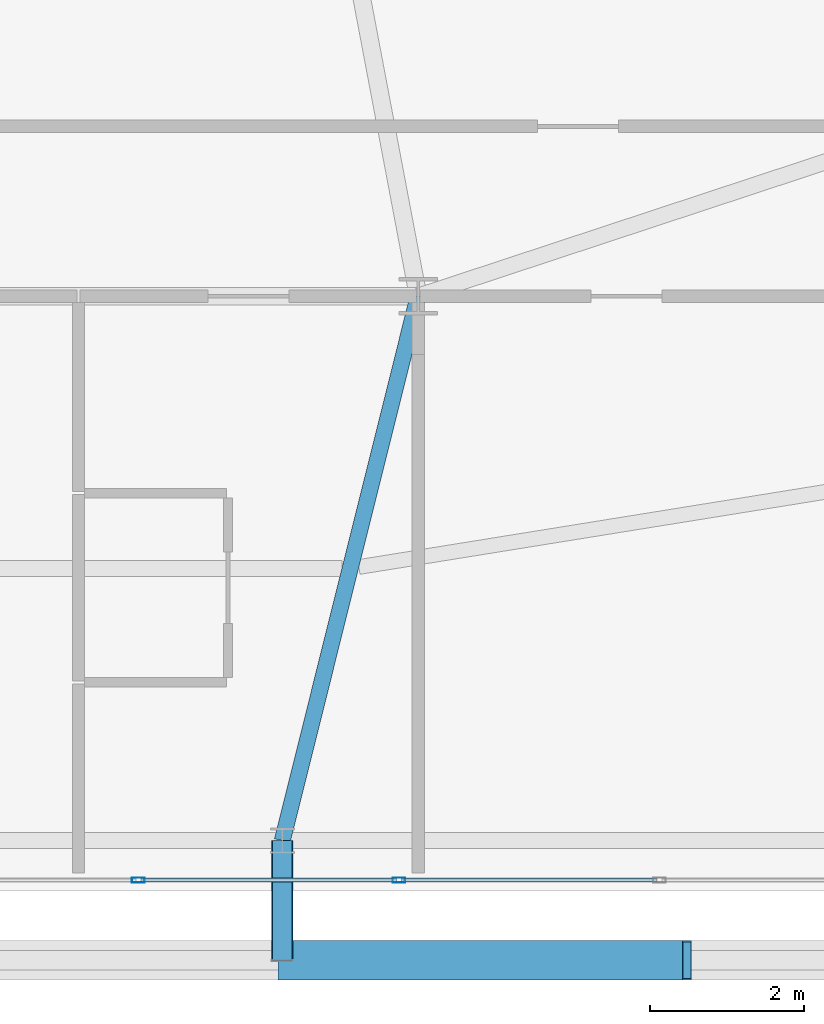
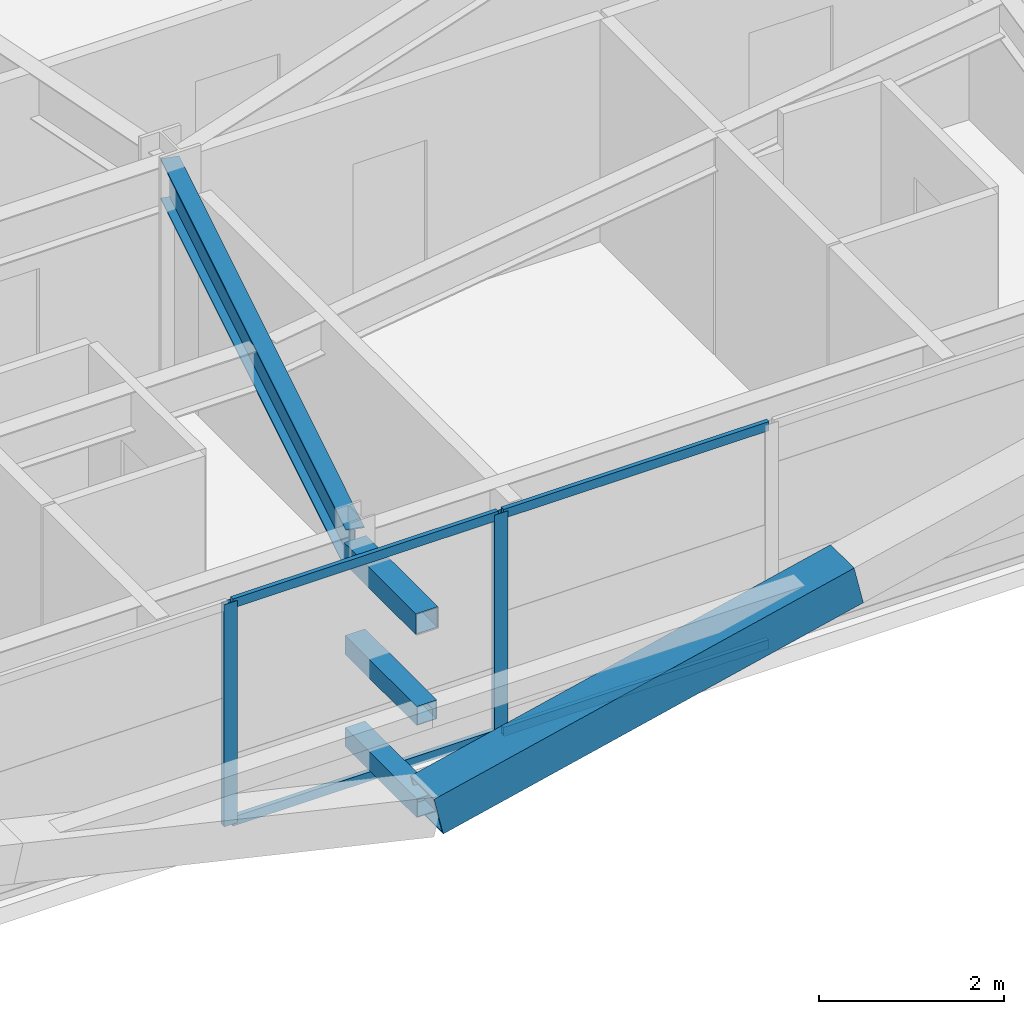
# One storey, part 20 of 59: 10 members, 1 beam, 1 element without a shape of its own.
"""IFC4 building model written with IfcOpenShell, lengths in metres."""

from ifc_helpers import new_model, si_unit, direction, frame, origin, origin_2d, place, context, subcontext, project, spatial, hollow_rectangle, i_section, extrude, source, transform, mapped, material, layer, layer_set, material_profile, profile_set, type_object, element, aggregate, save


model = new_model("IFC4")

# Units and contexts
model_context = context("Model", 3, precision=1e-05, world=origin(), true_north=direction((0.0, 1.0)))
body_context = subcontext(model_context, "Body", "Model", "MODEL_VIEW")
ifc_project = project(units=[si_unit("LENGTHUNIT", "METRE"), si_unit("AREAUNIT", "SQUARE_METRE"), si_unit("VOLUMEUNIT", "CUBIC_METRE"), si_unit("PLANEANGLEUNIT", "RADIAN"), si_unit("MASSUNIT", "GRAM", prefix="KILO")], contexts=[model_context])

# Site, building, storey
site_placement = place(None, origin())
site = spatial("IfcSite", under=ifc_project, at=site_placement, CompositionType="ELEMENT")
building_placement = place(site_placement, origin())
building = spatial("IfcBuilding", under=site, at=building_placement, Name="Taldren Reach Tower", CompositionType="ELEMENT")
storey_placement = place(building_placement, frame((0.0, 0.0, 19.949951171875)))
storey = spatial("IfcBuildingStorey", under=building, at=storey_placement, Name="L05", CompositionType="ELEMENT", Elevation=19.949951171875)

# Beam
ifc_material_1 = material(Name="Steel Gr 350 (350PLUS)", Category="steel")
ifc_material_profile_1 = material_profile(ifc_material_1, i_section(OverallWidth=0.208984375, OverallDepth=0.532958984375, WebThickness=0.01025390625, FlangeThickness=0.015625, at=origin_2d()), Name="530UB92.4")
ifc_profile_set_1 = profile_set([ifc_material_profile_1], Name="Steel Gr 350 (350PLUS)")
beam_type = type_object("IfcBeamType", Name="BM-UB530A", PredefinedType="BEAM", material=ifc_profile_set_1)
shared_shape_1 = source(origin(), body_context, "Body", "SweptSolid", [
    extrude(i_section(OverallWidth=0.208984375, OverallDepth=0.532958984375, WebThickness=0.01025390625, FlangeThickness=0.015625, at=origin_2d()), origin(), (0.0, 0.0, 1.0), 7.266357421875),
])
beam_placement = place(storey_placement, frame((42.0, 9.199951171875, 2.66357421875), z_axis=(-0.24221148493, -0.970223477642, 0.0), x_axis=(0.970223477642, -0.24221148493, 0.0)))
element("IfcBeam", 1, at=beam_placement, inside=storey, type_object=beam_type, Name="Primary floor girder B1-S4 L05", PredefinedType="BEAM", context=body_context, shape_type="MappedRepresentation", body=[
    mapped(shared_shape_1, transform((0.0, 0.0, 0.0), scale=1.0)),
])

# Members
ifc_material_2 = material(Name="Steel Gr 450 (C450L0)", Category="steel")
ifc_material_profile_2 = material_profile(ifc_material_2, hollow_rectangle(XDim=0.27490234375, YDim=0.27490234375, WallThickness=0.00927734375, at=origin_2d()), Name="275x275x9.3SHS")
ifc_profile_set_2 = profile_set([ifc_material_profile_2], Name="Steel Gr 450 (C450L0)")
member_type_1 = type_object("IfcMemberType", Name="MB-TIE273", PredefinedType="STRUT", material=ifc_profile_set_2)
shared_shape_2 = source(origin(), body_context, "Body", "SweptSolid", [
    extrude(hollow_rectangle(XDim=0.27490234375, YDim=0.27490234375, WallThickness=0.00927734375, at=origin_2d()), origin(), (0.0, 0.0, 1.0), 1.5498046875),
])
member_1_placement = place(storey_placement, frame((40.239990234375, 2.14990234375, 2.650146484375), z_axis=(0.0, -1.0, 0.0), x_axis=(1.0, 0.0, 0.0)))
element("IfcMember", 2, at=member_1_placement, inside=storey, type_object=member_type_1, Name="Exoskeleton diaphragm tie strut B1-S4 L05", PredefinedType="STRUT", context=body_context, shape_type="MappedRepresentation", body=[
    mapped(shared_shape_2, transform((0.0, 0.0, 0.0), scale=1.0)),
])
ifc_material_profile_3 = material_profile(ifc_material_2, hollow_rectangle(XDim=0.510009765625, YDim=0.510009765625, WallThickness=0.02001953125, at=origin_2d()), Name="510x510x20.0SHS")
ifc_profile_set_3 = profile_set([ifc_material_profile_3], Name="Steel Gr 450 (C450L0)")
member_type_2 = type_object("IfcMemberType", Name="MB-EXO508", PredefinedType="BRACE", material=ifc_profile_set_3)
shared_shape_3 = source(origin(), body_context, "Body", "SweptSolid", [
    extrude(hollow_rectangle(XDim=0.510009765625, YDim=0.510009765625, WallThickness=0.02001953125, at=origin_2d()), origin(), (0.0, 0.0, 1.0), 5.37890625),
])
member_2_placement = place(storey_placement, frame((40.239990234375, 0.60009765625, 0.219970703125), z_axis=(0.97415197996, 0.0, 0.225893603143), x_axis=(0.0, 1.0, 0.0)))
element("IfcMember", 3, at=member_2_placement, inside=storey, type_object=member_type_2, Name="Exoskeleton Diagrid Brace B1-S4 L05", PredefinedType="BRACE", context=body_context, shape_type="MappedRepresentation", body=[
    mapped(shared_shape_3, transform((0.0, 0.0, 0.0), scale=1.0)),
])
ifc_material_3 = material(Name="Steel Gr 350 (C350L0)", Category="steel")
ifc_material_profile_4 = material_profile(ifc_material_3, hollow_rectangle(XDim=0.25, YDim=0.25, WallThickness=0.010009765625, at=origin_2d()), Name="250x250x10.0SHS")
ifc_profile_set_4 = profile_set([ifc_material_profile_4], Name="Steel Gr 350 (C350L0)")
member_type_3 = type_object("IfcMemberType", Name="MB-POST250", PredefinedType="POST", material=ifc_profile_set_4)
shared_shape_4 = source(origin(), body_context, "Body", "SweptSolid", [
    extrude(hollow_rectangle(XDim=0.25, YDim=0.25, WallThickness=0.010009765625, at=origin_2d()), origin(), (0.0, 0.0, 1.0), 1.5498046875),
])
for number, where, z_axis, x_axis, name in (
    (4, (40.239990234375, 2.14990234375, 0.219970703125), (0.0, -1.0, 0.0), (1.0, 0.0, 0.0), "Exoskeleton base diaphragm tie strut B1-S4 L05"),
    (5, (40.239990234375, 2.14990234375, 1.43505859375), (0.0, -1.0, 0.0), (1.0, 0.0, 0.0), "Exoskeleton mid-tier diaphragm tie B1-S4 L05"),
):
    element("IfcMember", number, at=place(storey_placement, frame(where, z_axis=z_axis, x_axis=x_axis)), inside=storey, type_object=member_type_3, Name=name, PredefinedType="POST", context=body_context, shape_type="MappedRepresentation", body=[
        mapped(shared_shape_4, transform((0.0, 0.0, 0.0), scale=1.0)),
    ])

# Curtain wall, members
ifc_material_4 = material(Name="Aluminium and Low-E Glass Unitised System", Category="aluminium")
ifc_layer = layer(ifc_material_4, 0.159912109375)
ifc_layer_set = layer_set([ifc_layer], Name="Aluminium and Low-E Glass Unitised System")
curtain_wall_type = type_object("IfcCurtainWallType", Name="CW-SYS-2", PredefinedType="NOTDEFINED", material=ifc_layer_set)
curtain_wall_placement = place(storey_placement, origin())
curtain_wall = element("IfcCurtainWall", 6, at=curtain_wall_placement, inside=storey, type_object=curtain_wall_type, Name="Unitised curtain wall CW-L05-S", PredefinedType="NOTDEFINED")
ifc_material_5 = material(Name="Anodised Aluminium 6063-T6", Category="aluminium")
ifc_material_profile_5 = material_profile(ifc_material_5, hollow_rectangle(XDim=0.06494140625, YDim=0.1650390625, WallThickness=0.00390625, at=origin_2d()), Name="ALU-165x65x4RHS")
ifc_profile_set_5 = profile_set([ifc_material_profile_5], Name="Anodised Aluminium 6063-T6")
member_type_4 = type_object("IfcMemberType", Name="CW-MUL-165", PredefinedType="MULLION", material=ifc_profile_set_5)
shared_shape_5 = source(origin(), body_context, "Body", "SweptSolid", [
    extrude(hollow_rectangle(XDim=0.06494140625, YDim=0.1650390625, WallThickness=0.00390625, at=origin_2d()), origin(), (0.0, 0.0, 1.0), 2.929931640625),
])
member_3_placement = place(storey_placement, frame((38.375, 1.639892578125, 0.0), z_axis=(0.0, 0.0, 1.0), x_axis=(0.0, 1.0, 0.0)))
member_3 = element("IfcMember", 7, at=member_3_placement, type_object=member_type_4, Name="CW-2 mullion 10", PredefinedType="MULLION", context=body_context, shape_type="MappedRepresentation", body=[
    mapped(shared_shape_5, transform((0.0, 0.0, 0.0), scale=1.0)),
])
member_4_placement = place(storey_placement, frame((41.75, 1.639892578125, 0.0), z_axis=(0.0, 0.0, 1.0), x_axis=(0.0, 1.0, 0.0)))
member_4 = element("IfcMember", 8, at=member_4_placement, type_object=member_type_4, Name="CW-2 mullion 11", PredefinedType="MULLION", context=body_context, shape_type="MappedRepresentation", body=[
    mapped(shared_shape_5, transform((0.0, 0.0, 0.0), scale=1.0)),
])
ifc_material_profile_6 = material_profile(ifc_material_5, hollow_rectangle(XDim=0.054931640625, YDim=0.1201171875, WallThickness=0.0029296875, at=origin_2d()), Name="ALU-120x55x3RHS")
ifc_profile_set_6 = profile_set([ifc_material_profile_6], Name="Anodised Aluminium 6063-T6")
member_type_5 = type_object("IfcMemberType", Name="CW-TRN-135", PredefinedType="USERDEFINED", material=ifc_profile_set_6)
shared_shape_6 = source(origin(), body_context, "Body", "SweptSolid", [
    extrude(hollow_rectangle(XDim=0.054931640625, YDim=0.1201171875, WallThickness=0.0029296875, at=origin_2d()), origin(), (0.0, 0.0, 1.0), 3.31005859375),
])
member_5_placement = place(storey_placement, frame((38.407470703125, 1.639892578125, 0.027587890625), z_axis=(1.0, 0.0, 0.0), x_axis=(0.0, 1.0, 0.0)))
member_5 = element("IfcMember", 9, at=member_5_placement, type_object=member_type_5, Name="CW-2 transom 10.1", ObjectType="TRANSOM", PredefinedType="USERDEFINED", context=body_context, shape_type="MappedRepresentation", body=[
    mapped(shared_shape_6, transform((0.0, 0.0, 0.0), scale=1.0)),
])
member_6_placement = place(storey_placement, frame((38.407470703125, 1.639892578125, 2.902587890625), z_axis=(1.0, 0.0, 0.0), x_axis=(0.0, 1.0, 0.0)))
member_6 = element("IfcMember", 10, at=member_6_placement, type_object=member_type_5, Name="CW-2 transom 10.2", ObjectType="TRANSOM", PredefinedType="USERDEFINED", context=body_context, shape_type="MappedRepresentation", body=[
    mapped(shared_shape_6, transform((0.0, 0.0, 0.0), scale=1.0)),
])
member_7_placement = place(storey_placement, frame((41.782470703125, 1.639892578125, 0.027587890625), z_axis=(1.0, 0.0, 0.0), x_axis=(0.0, 1.0, 0.0)))
member_7 = element("IfcMember", 11, at=member_7_placement, type_object=member_type_5, Name="CW-2 transom 11.1", ObjectType="TRANSOM", PredefinedType="USERDEFINED", context=body_context, shape_type="MappedRepresentation", body=[
    mapped(shared_shape_6, transform((0.0, 0.0, 0.0), scale=1.0)),
])
member_8_placement = place(storey_placement, frame((41.782470703125, 1.639892578125, 2.902587890625), z_axis=(1.0, 0.0, 0.0), x_axis=(0.0, 1.0, 0.0)))
member_8 = element("IfcMember", 12, at=member_8_placement, type_object=member_type_5, Name="CW-2 transom 11.2", ObjectType="TRANSOM", PredefinedType="USERDEFINED", context=body_context, shape_type="MappedRepresentation", body=[
    mapped(shared_shape_6, transform((0.0, 0.0, 0.0), scale=1.0)),
])
aggregate(curtain_wall, [member_3, member_4, member_5, member_6, member_7, member_8])

save(model, "model.ifc")
